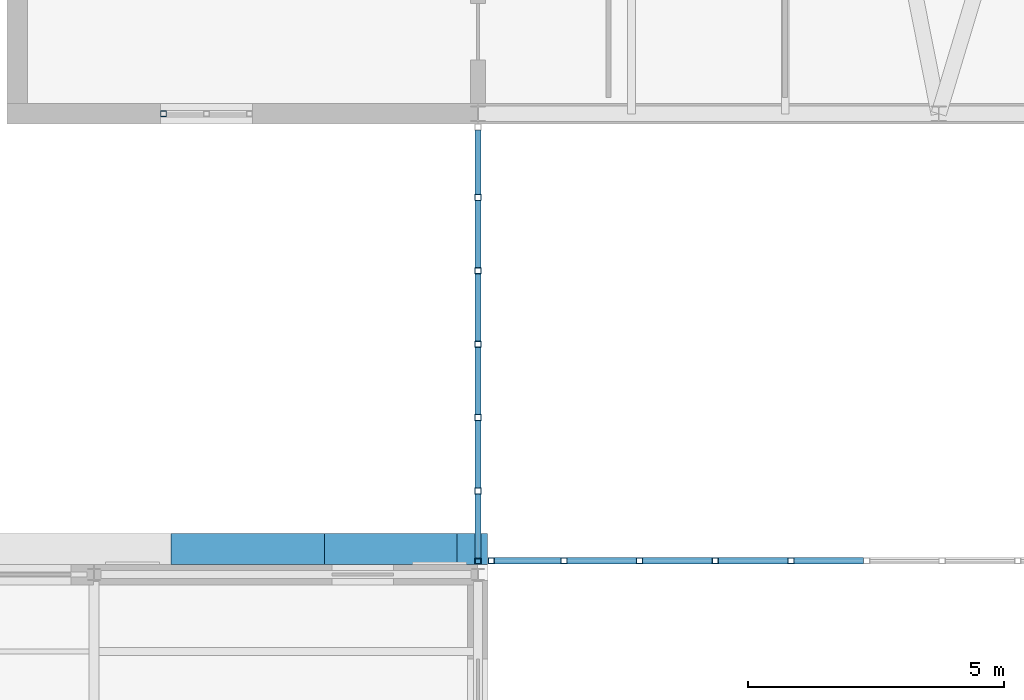
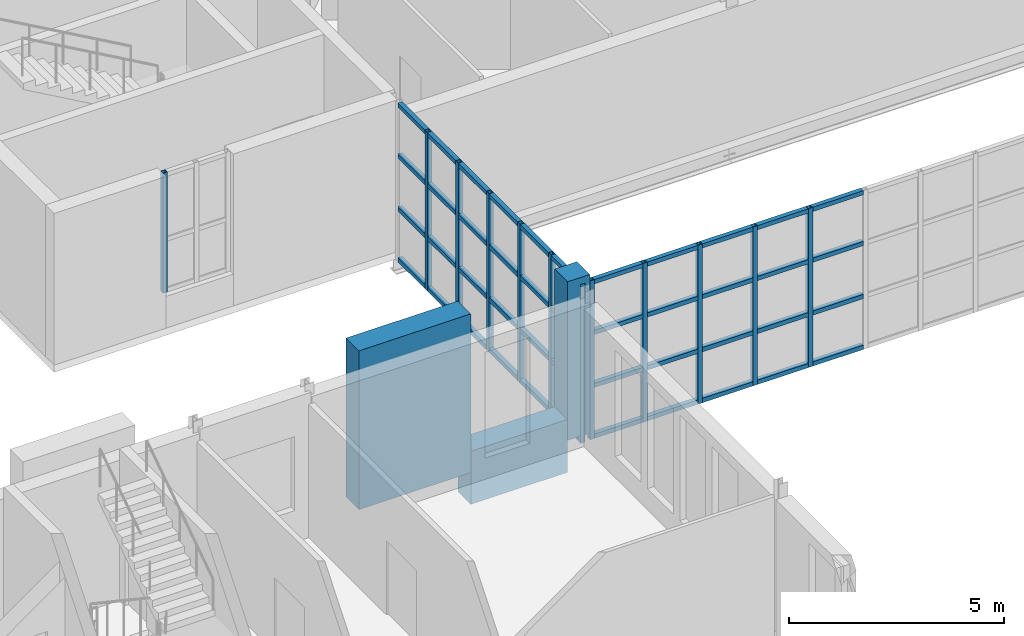
# One storey, part 46 of 131: 58 members, 1 beam, 3 elements without a shape of their own.
"""IFC4 building model written with IfcOpenShell, lengths in metres."""

from ifc_helpers import new_model, si_unit, direction, frame, origin, origin_2d, place, context, subcontext, project, spatial, rectangle, hollow_rectangle, extrude, material, material_profile, profile_set, type_object, element, aggregate, save


model = new_model("IFC4")

# Units and contexts
model_context = context("Model", 3, precision=1e-05, world=origin(), true_north=direction((0.0, 1.0)))
body_context = subcontext(model_context, "Body", "Model", "MODEL_VIEW")
ifc_project = project(units=[si_unit("LENGTHUNIT", "METRE"), si_unit("AREAUNIT", "SQUARE_METRE"), si_unit("VOLUMEUNIT", "CUBIC_METRE"), si_unit("PLANEANGLEUNIT", "RADIAN"), si_unit("MASSUNIT", "GRAM", prefix="KILO")], contexts=[model_context])

# Site, building, storey
site_placement = place(None, origin())
site = spatial("IfcSite", under=ifc_project, at=site_placement, CompositionType="ELEMENT")
building_placement = place(site_placement, origin())
building = spatial("IfcBuilding", under=site, at=building_placement, Name="Golden Quay Civic Hall", CompositionType="ELEMENT")
storey_placement = place(building_placement, frame((0.0, 0.0, 9.89990234375)))
storey = spatial("IfcBuildingStorey", under=building, at=storey_placement, Name="L02", CompositionType="ELEMENT", Elevation=9.89990234375)

# Curtain wall, members
ifc_material_1 = material(Name="Fire-resisting glass and steel", Category="steel")
curtain_wall_type_1 = type_object("IfcCurtainWallType", Name="Fire-resisting glazed curtain wall EI 120", PredefinedType="NOTDEFINED", material=ifc_material_1)
curtain_wall_1_placement = place(storey_placement, origin())
curtain_wall_1 = element("IfcCurtainWall", 1, at=curtain_wall_1_placement, inside=storey, type_object=curtain_wall_type_1, Name="CW3 curtain wall", PredefinedType="NOTDEFINED")
ifc_material_2 = material(Name="Steel S355", Category="steel")
ifc_material_profile_1 = material_profile(ifc_material_2, hollow_rectangle(XDim=0.1201171875, YDim=0.1201171875, WallThickness=0.008056640625, at=origin_2d()), Name="SHS 120x120x8")
ifc_profile_set_1 = profile_set([ifc_material_profile_1], Name="Steel S355")
member_type_1 = type_object("IfcMemberType", Name="Fire-resisting steel mullion SHS 120x120x8", PredefinedType="MULLION", material=ifc_profile_set_1)
member_1_placement = place(storey_placement, frame((72.260009765625, 54.27001953125, -0.199951171875), z_axis=(0.0, 0.0, 1.0), x_axis=(0.0, 1.0, 0.0)))
member_1 = element("IfcMember", 2, at=member_1_placement, type_object=member_type_1, Name="CW3 mullion 1", PredefinedType="MULLION", context=body_context, shape_type="SweptSolid", body=[
    extrude(hollow_rectangle(XDim=0.1201171875, YDim=0.1201171875, WallThickness=0.008056640625, at=origin_2d()), origin(), (0.0, 0.0, 1.0), 4.5),
])
member_2_placement = place(storey_placement, frame((73.677734375, 54.27001953125, -0.199951171875), z_axis=(0.0, 0.0, 1.0), x_axis=(0.0, 1.0, 0.0)))
member_2 = element("IfcMember", 3, at=member_2_placement, type_object=member_type_1, Name="CW3 mullion 2", PredefinedType="MULLION", context=body_context, shape_type="SweptSolid", body=[
    extrude(hollow_rectangle(XDim=0.1201171875, YDim=0.1201171875, WallThickness=0.008056640625, at=origin_2d()), origin(), (0.0, 0.0, 1.0), 4.5),
])
member_3_placement = place(storey_placement, frame((75.155517578125, 54.27001953125, -0.199951171875), z_axis=(0.0, 0.0, 1.0), x_axis=(0.0, 1.0, 0.0)))
member_3 = element("IfcMember", 4, at=member_3_placement, type_object=member_type_1, Name="CW3 mullion 3", PredefinedType="MULLION", context=body_context, shape_type="SweptSolid", body=[
    extrude(hollow_rectangle(XDim=0.1201171875, YDim=0.1201171875, WallThickness=0.008056640625, at=origin_2d()), origin(), (0.0, 0.0, 1.0), 4.5),
])
member_4_placement = place(storey_placement, frame((76.63330078125, 54.27001953125, -0.199951171875), z_axis=(0.0, 0.0, 1.0), x_axis=(0.0, 1.0, 0.0)))
member_4 = element("IfcMember", 5, at=member_4_placement, type_object=member_type_1, Name="CW3 mullion 4", PredefinedType="MULLION", context=body_context, shape_type="SweptSolid", body=[
    extrude(hollow_rectangle(XDim=0.1201171875, YDim=0.1201171875, WallThickness=0.008056640625, at=origin_2d()), origin(), (0.0, 0.0, 1.0), 4.5),
])
member_5_placement = place(storey_placement, frame((78.111083984375, 54.27001953125, -0.199951171875), z_axis=(0.0, 0.0, 1.0), x_axis=(0.0, 1.0, 0.0)))
member_5 = element("IfcMember", 6, at=member_5_placement, type_object=member_type_1, Name="CW3 mullion 5", PredefinedType="MULLION", context=body_context, shape_type="SweptSolid", body=[
    extrude(hollow_rectangle(XDim=0.1201171875, YDim=0.1201171875, WallThickness=0.008056640625, at=origin_2d()), origin(), (0.0, 0.0, 1.0), 4.5),
])

# Curtain wall, member
ifc_material_3 = material(Name="Fire-resisting glass and steel", Category="steel")
curtain_wall_type_2 = type_object("IfcCurtainWallType", Name="Fire-resisting glazed stair curtain wall EI 120", PredefinedType="NOTDEFINED", material=ifc_material_3)
curtain_wall_2_placement = place(storey_placement, origin())
curtain_wall_2 = element("IfcCurtainWall", 7, at=curtain_wall_2_placement, inside=storey, type_object=curtain_wall_type_2, Name="CW4 stair curtain wall", PredefinedType="NOTDEFINED")
ifc_material_4 = material(Name="Steel S355", Category="steel")
ifc_material_profile_2 = material_profile(ifc_material_4, hollow_rectangle(XDim=0.1201171875, YDim=0.1201171875, WallThickness=0.012451171875, at=origin_2d()), Name="SHS 120x120x12.5")
ifc_profile_set_2 = profile_set([ifc_material_profile_2], Name="Steel S355")
member_type_2 = type_object("IfcMemberType", Name="Fire-resisting steel stair mullion 120 x 120", PredefinedType="MULLION", material=ifc_profile_set_2)
member_6_placement = place(storey_placement, frame((65.860107421875, 63.0, 0.900146484375), z_axis=(0.0, 0.0, 1.0), x_axis=(0.0, 1.0, 0.0)))
member_6 = element("IfcMember", 8, at=member_6_placement, type_object=member_type_2, Name="CW4 mullion 1", PredefinedType="MULLION", context=body_context, shape_type="SweptSolid", body=[
    extrude(hollow_rectangle(XDim=0.1201171875, YDim=0.1201171875, WallThickness=0.012451171875, at=origin_2d()), origin(), (0.0, 0.0, 1.0), 3.39990234375),
])
aggregate(curtain_wall_2, [member_6])

# Member
ifc_material_5 = material(Name="Steel S355", Category="steel")
ifc_material_profile_3 = material_profile(ifc_material_5, hollow_rectangle(XDim=0.1201171875, YDim=0.1201171875, WallThickness=0.008056640625, at=origin_2d()), Name="SHS 120x120x8")
ifc_profile_set_3 = profile_set([ifc_material_profile_3], Name="Steel S355")
member_type_3 = type_object("IfcMemberType", Name="Fire-resisting steel transom SHS 120x120x8", PredefinedType="USERDEFINED", material=ifc_profile_set_3)
member_7_placement = place(storey_placement, frame((72.320068359375, 54.27001953125, -0.139892578125), z_axis=(1.0, 0.0, 0.0), x_axis=(0.0, 1.0, 0.0)))
member_7 = element("IfcMember", 9, at=member_7_placement, type_object=member_type_3, Name="CW3 transom 1.1", ObjectType="TRANSOM", PredefinedType="USERDEFINED", context=body_context, shape_type="SweptSolid", body=[
    extrude(hollow_rectangle(XDim=0.1201171875, YDim=0.1201171875, WallThickness=0.008056640625, at=origin_2d()), origin(), (0.0, 0.0, 1.0), 1.297607421875),
])

member_8_placement = place(storey_placement, frame((72.320068359375, 54.27001953125, 1.300048828125), z_axis=(1.0, 0.0, 0.0), x_axis=(0.0, 1.0, 0.0)))
member_8 = element("IfcMember", 10, at=member_8_placement, type_object=member_type_3, Name="CW3 transom 1.2", ObjectType="TRANSOM", PredefinedType="USERDEFINED", context=body_context, shape_type="SweptSolid", body=[
    extrude(hollow_rectangle(XDim=0.1201171875, YDim=0.1201171875, WallThickness=0.008056640625, at=origin_2d()), origin(), (0.0, 0.0, 1.0), 1.297607421875),
])

member_9_placement = place(storey_placement, frame((72.320068359375, 54.27001953125, 2.800048828125), z_axis=(1.0, 0.0, 0.0), x_axis=(0.0, 1.0, 0.0)))
member_9 = element("IfcMember", 11, at=member_9_placement, type_object=member_type_3, Name="CW3 transom 1.3", ObjectType="TRANSOM", PredefinedType="USERDEFINED", context=body_context, shape_type="SweptSolid", body=[
    extrude(hollow_rectangle(XDim=0.1201171875, YDim=0.1201171875, WallThickness=0.008056640625, at=origin_2d()), origin(), (0.0, 0.0, 1.0), 1.297607421875),
])

member_10_placement = place(storey_placement, frame((72.320068359375, 54.27001953125, 4.239990234375), z_axis=(1.0, 0.0, 0.0), x_axis=(0.0, 1.0, 0.0)))
member_10 = element("IfcMember", 12, at=member_10_placement, type_object=member_type_3, Name="CW3 transom 1.4", ObjectType="TRANSOM", PredefinedType="USERDEFINED", context=body_context, shape_type="SweptSolid", body=[
    extrude(hollow_rectangle(XDim=0.1201171875, YDim=0.1201171875, WallThickness=0.008056640625, at=origin_2d()), origin(), (0.0, 0.0, 1.0), 1.297607421875),
])

member_11_placement = place(storey_placement, frame((73.73779296875, 54.27001953125, -0.139892578125), z_axis=(1.0, 0.0, 0.0), x_axis=(0.0, 1.0, 0.0)))
member_11 = element("IfcMember", 13, at=member_11_placement, type_object=member_type_3, Name="CW3 transom 2.1", ObjectType="TRANSOM", PredefinedType="USERDEFINED", context=body_context, shape_type="SweptSolid", body=[
    extrude(hollow_rectangle(XDim=0.1201171875, YDim=0.1201171875, WallThickness=0.008056640625, at=origin_2d()), origin(), (0.0, 0.0, 1.0), 1.357666015625),
])

member_12_placement = place(storey_placement, frame((73.73779296875, 54.27001953125, 1.300048828125), z_axis=(1.0, 0.0, 0.0), x_axis=(0.0, 1.0, 0.0)))
member_12 = element("IfcMember", 14, at=member_12_placement, type_object=member_type_3, Name="CW3 transom 2.2", ObjectType="TRANSOM", PredefinedType="USERDEFINED", context=body_context, shape_type="SweptSolid", body=[
    extrude(hollow_rectangle(XDim=0.1201171875, YDim=0.1201171875, WallThickness=0.008056640625, at=origin_2d()), origin(), (0.0, 0.0, 1.0), 1.357666015625),
])

member_13_placement = place(storey_placement, frame((73.73779296875, 54.27001953125, 2.800048828125), z_axis=(1.0, 0.0, 0.0), x_axis=(0.0, 1.0, 0.0)))
member_13 = element("IfcMember", 15, at=member_13_placement, type_object=member_type_3, Name="CW3 transom 2.3", ObjectType="TRANSOM", PredefinedType="USERDEFINED", context=body_context, shape_type="SweptSolid", body=[
    extrude(hollow_rectangle(XDim=0.1201171875, YDim=0.1201171875, WallThickness=0.008056640625, at=origin_2d()), origin(), (0.0, 0.0, 1.0), 1.357666015625),
])

member_14_placement = place(storey_placement, frame((73.73779296875, 54.27001953125, 4.239990234375), z_axis=(1.0, 0.0, 0.0), x_axis=(0.0, 1.0, 0.0)))
member_14 = element("IfcMember", 16, at=member_14_placement, type_object=member_type_3, Name="CW3 transom 2.4", ObjectType="TRANSOM", PredefinedType="USERDEFINED", context=body_context, shape_type="SweptSolid", body=[
    extrude(hollow_rectangle(XDim=0.1201171875, YDim=0.1201171875, WallThickness=0.008056640625, at=origin_2d()), origin(), (0.0, 0.0, 1.0), 1.357666015625),
])

member_15_placement = place(storey_placement, frame((75.215576171875, 54.27001953125, -0.139892578125), z_axis=(1.0, 0.0, 0.0), x_axis=(0.0, 1.0, 0.0)))
member_15 = element("IfcMember", 17, at=member_15_placement, type_object=member_type_3, Name="CW3 transom 3.1", ObjectType="TRANSOM", PredefinedType="USERDEFINED", context=body_context, shape_type="SweptSolid", body=[
    extrude(hollow_rectangle(XDim=0.1201171875, YDim=0.1201171875, WallThickness=0.008056640625, at=origin_2d()), origin(), (0.0, 0.0, 1.0), 1.357666015625),
])

member_16_placement = place(storey_placement, frame((75.215576171875, 54.27001953125, 1.300048828125), z_axis=(1.0, 0.0, 0.0), x_axis=(0.0, 1.0, 0.0)))
member_16 = element("IfcMember", 18, at=member_16_placement, type_object=member_type_3, Name="CW3 transom 3.2", ObjectType="TRANSOM", PredefinedType="USERDEFINED", context=body_context, shape_type="SweptSolid", body=[
    extrude(hollow_rectangle(XDim=0.1201171875, YDim=0.1201171875, WallThickness=0.008056640625, at=origin_2d()), origin(), (0.0, 0.0, 1.0), 1.357666015625),
])

member_17_placement = place(storey_placement, frame((75.215576171875, 54.27001953125, 2.800048828125), z_axis=(1.0, 0.0, 0.0), x_axis=(0.0, 1.0, 0.0)))
member_17 = element("IfcMember", 19, at=member_17_placement, type_object=member_type_3, Name="CW3 transom 3.3", ObjectType="TRANSOM", PredefinedType="USERDEFINED", context=body_context, shape_type="SweptSolid", body=[
    extrude(hollow_rectangle(XDim=0.1201171875, YDim=0.1201171875, WallThickness=0.008056640625, at=origin_2d()), origin(), (0.0, 0.0, 1.0), 1.357666015625),
])

member_18_placement = place(storey_placement, frame((75.215576171875, 54.27001953125, 4.239990234375), z_axis=(1.0, 0.0, 0.0), x_axis=(0.0, 1.0, 0.0)))
member_18 = element("IfcMember", 20, at=member_18_placement, type_object=member_type_3, Name="CW3 transom 3.4", ObjectType="TRANSOM", PredefinedType="USERDEFINED", context=body_context, shape_type="SweptSolid", body=[
    extrude(hollow_rectangle(XDim=0.1201171875, YDim=0.1201171875, WallThickness=0.008056640625, at=origin_2d()), origin(), (0.0, 0.0, 1.0), 1.357666015625),
])

member_19_placement = place(storey_placement, frame((76.693359375, 54.27001953125, -0.139892578125), z_axis=(1.0, 0.0, 0.0), x_axis=(0.0, 1.0, 0.0)))
member_19 = element("IfcMember", 21, at=member_19_placement, type_object=member_type_3, Name="CW3 transom 4.1", ObjectType="TRANSOM", PredefinedType="USERDEFINED", context=body_context, shape_type="SweptSolid", body=[
    extrude(hollow_rectangle(XDim=0.1201171875, YDim=0.1201171875, WallThickness=0.008056640625, at=origin_2d()), origin(), (0.0, 0.0, 1.0), 1.357666015625),
])

member_20_placement = place(storey_placement, frame((76.693359375, 54.27001953125, 1.300048828125), z_axis=(1.0, 0.0, 0.0), x_axis=(0.0, 1.0, 0.0)))
member_20 = element("IfcMember", 22, at=member_20_placement, type_object=member_type_3, Name="CW3 transom 4.2", ObjectType="TRANSOM", PredefinedType="USERDEFINED", context=body_context, shape_type="SweptSolid", body=[
    extrude(hollow_rectangle(XDim=0.1201171875, YDim=0.1201171875, WallThickness=0.008056640625, at=origin_2d()), origin(), (0.0, 0.0, 1.0), 1.357666015625),
])

member_21_placement = place(storey_placement, frame((76.693359375, 54.27001953125, 2.800048828125), z_axis=(1.0, 0.0, 0.0), x_axis=(0.0, 1.0, 0.0)))
member_21 = element("IfcMember", 23, at=member_21_placement, type_object=member_type_3, Name="CW3 transom 4.3", ObjectType="TRANSOM", PredefinedType="USERDEFINED", context=body_context, shape_type="SweptSolid", body=[
    extrude(hollow_rectangle(XDim=0.1201171875, YDim=0.1201171875, WallThickness=0.008056640625, at=origin_2d()), origin(), (0.0, 0.0, 1.0), 1.357666015625),
])

member_22_placement = place(storey_placement, frame((76.693359375, 54.27001953125, 4.239990234375), z_axis=(1.0, 0.0, 0.0), x_axis=(0.0, 1.0, 0.0)))
member_22 = element("IfcMember", 24, at=member_22_placement, type_object=member_type_3, Name="CW3 transom 4.4", ObjectType="TRANSOM", PredefinedType="USERDEFINED", context=body_context, shape_type="SweptSolid", body=[
    extrude(hollow_rectangle(XDim=0.1201171875, YDim=0.1201171875, WallThickness=0.008056640625, at=origin_2d()), origin(), (0.0, 0.0, 1.0), 1.357666015625),
])

member_23_placement = place(storey_placement, frame((78.171142578125, 54.27001953125, -0.139892578125), z_axis=(1.0, 0.0, 0.0), x_axis=(0.0, 1.0, 0.0)))
member_23 = element("IfcMember", 25, at=member_23_placement, type_object=member_type_3, Name="CW3 transom 5.1", ObjectType="TRANSOM", PredefinedType="USERDEFINED", context=body_context, shape_type="SweptSolid", body=[
    extrude(hollow_rectangle(XDim=0.1201171875, YDim=0.1201171875, WallThickness=0.008056640625, at=origin_2d()), origin(), (0.0, 0.0, 1.0), 1.357666015625),
])

member_24_placement = place(storey_placement, frame((78.171142578125, 54.27001953125, 1.300048828125), z_axis=(1.0, 0.0, 0.0), x_axis=(0.0, 1.0, 0.0)))
member_24 = element("IfcMember", 26, at=member_24_placement, type_object=member_type_3, Name="CW3 transom 5.2", ObjectType="TRANSOM", PredefinedType="USERDEFINED", context=body_context, shape_type="SweptSolid", body=[
    extrude(hollow_rectangle(XDim=0.1201171875, YDim=0.1201171875, WallThickness=0.008056640625, at=origin_2d()), origin(), (0.0, 0.0, 1.0), 1.357666015625),
])

member_25_placement = place(storey_placement, frame((78.171142578125, 54.27001953125, 2.800048828125), z_axis=(1.0, 0.0, 0.0), x_axis=(0.0, 1.0, 0.0)))
member_25 = element("IfcMember", 27, at=member_25_placement, type_object=member_type_3, Name="CW3 transom 5.3", ObjectType="TRANSOM", PredefinedType="USERDEFINED", context=body_context, shape_type="SweptSolid", body=[
    extrude(hollow_rectangle(XDim=0.1201171875, YDim=0.1201171875, WallThickness=0.008056640625, at=origin_2d()), origin(), (0.0, 0.0, 1.0), 1.357666015625),
])

member_26_placement = place(storey_placement, frame((78.171142578125, 54.27001953125, 4.239990234375), z_axis=(1.0, 0.0, 0.0), x_axis=(0.0, 1.0, 0.0)))
member_26 = element("IfcMember", 28, at=member_26_placement, type_object=member_type_3, Name="CW3 transom 5.4", ObjectType="TRANSOM", PredefinedType="USERDEFINED", context=body_context, shape_type="SweptSolid", body=[
    extrude(hollow_rectangle(XDim=0.1201171875, YDim=0.1201171875, WallThickness=0.008056640625, at=origin_2d()), origin(), (0.0, 0.0, 1.0), 1.357666015625),
])

aggregate(curtain_wall_1, [member_1, member_2, member_3, member_4, member_5, member_7, member_8, member_9, member_10, member_11, member_12, member_13, member_14, member_15, member_16, member_17, member_18, member_19, member_20, member_21, member_22, member_23, member_24, member_25, member_26])

# Members
ifc_material_6 = material(Name="Concrete C40/50", Category="concrete")
ifc_material_profile_4 = material_profile(ifc_material_6, rectangle(XDim=3.0, YDim=0.60009765625, at=origin_2d()), Name="RC 3000x600")
ifc_profile_set_4 = profile_set([ifc_material_profile_4], Name="Concrete C40/50")
member_type_4 = type_object("IfcMemberType", Name="Precast concrete facade pier 3000 x 600", PredefinedType="POST", material=ifc_profile_set_4)
member_27_placement = place(storey_placement, frame((67.5, 54.5, 0.0), z_axis=(0.0, 0.0, 1.0), x_axis=(1.0, 0.0, 0.0)))
element("IfcMember", 29, at=member_27_placement, inside=storey, type_object=member_type_4, Name="Precast concrete facade pier 3000 x 600 L02 24", PredefinedType="POST", context=body_context, shape_type="SweptSolid", body=[
    extrude(rectangle(XDim=3.0, YDim=0.60009765625, at=origin_2d()), origin(), (0.0, 0.0, 1.0), 4.5),
])
ifc_material_7 = material(Name="Concrete C40/50", Category="concrete")
ifc_material_profile_5 = material_profile(ifc_material_7, rectangle(XDim=0.60009765625, YDim=0.60009765625, at=origin_2d()), Name="RC 600x600")
ifc_profile_set_5 = profile_set([ifc_material_profile_5], Name="Concrete C40/50")
member_type_5 = type_object("IfcMemberType", Name="Precast concrete facade post 600 x 600", PredefinedType="POST", material=ifc_profile_set_5)
member_28_placement = place(storey_placement, frame((71.889892578125, 54.5, 0.0), z_axis=(0.0, 0.0, 1.0), x_axis=(1.0, 0.0, 0.0)))
element("IfcMember", 30, at=member_28_placement, inside=storey, type_object=member_type_5, Name="Precast concrete facade post 600 x 600 L02 8", PredefinedType="POST", context=body_context, shape_type="SweptSolid", body=[
    extrude(rectangle(XDim=0.60009765625, YDim=0.60009765625, at=origin_2d()), origin(), (0.0, 0.0, 1.0), 4.5),
])

# Beam
ifc_material_8 = material(Name="Concrete C40/50", Category="concrete")
ifc_material_profile_6 = material_profile(ifc_material_8, rectangle(XDim=0.60009765625, YDim=1.5, at=origin_2d()), Name="RC 600x1500")
ifc_profile_set_6 = profile_set([ifc_material_profile_6], Name="Concrete C40/50")
beam_type = type_object("IfcBeamType", Name="Precast concrete spandrel beam 600 x 1500", PredefinedType="SPANDREL", material=ifc_profile_set_6)
beam_placement = place(storey_placement, frame((69.0, 54.5, -0.14990234375), z_axis=(1.0, 0.0, 0.0), x_axis=(0.0, 1.0, 0.0)))
element("IfcBeam", 31, at=beam_placement, inside=storey, type_object=beam_type, Name="Precast concrete spandrel beam 600 x 1500 L02 22", PredefinedType="SPANDREL", context=body_context, shape_type="SweptSolid", body=[
    extrude(rectangle(XDim=0.60009765625, YDim=1.5, at=origin_2d()), origin(), (0.0, 0.0, 1.0), 2.590087890625),
])

# Curtain wall, members
ifc_material_9 = material(Name="Glass and aluminium", Category="aluminium")
curtain_wall_type_3 = type_object("IfcCurtainWallType", Name="Glazed curtain wall 1500 module", PredefinedType="NOTDEFINED", material=ifc_material_9)
curtain_wall_3_placement = place(storey_placement, origin())
curtain_wall_3 = element("IfcCurtainWall", 32, at=curtain_wall_3_placement, inside=storey, type_object=curtain_wall_type_3, Name="CW1 curtain wall", PredefinedType="NOTDEFINED")
ifc_material_10 = material(Name="Steel S355", Category="steel")
ifc_material_profile_7 = material_profile(ifc_material_10, hollow_rectangle(XDim=0.1201171875, YDim=0.1201171875, WallThickness=0.008056640625, at=origin_2d()), Name="SHS 120x120x8")
ifc_profile_set_7 = profile_set([ifc_material_profile_7], Name="Steel S355")
member_type_6 = type_object("IfcMemberType", Name="Steel mullion SHS 120x120x8", PredefinedType="MULLION", material=ifc_profile_set_7)
member_29_placement = place(storey_placement, frame((72.0, 54.260009765625, -0.199951171875), z_axis=(0.0, 0.0, 1.0), x_axis=(-1.0, 0.0, 0.0)))
member_29 = element("IfcMember", 33, at=member_29_placement, type_object=member_type_6, Name="CW1 mullion 1", PredefinedType="MULLION", context=body_context, shape_type="SweptSolid", body=[
    extrude(hollow_rectangle(XDim=0.1201171875, YDim=0.1201171875, WallThickness=0.008056640625, at=origin_2d()), origin(), (0.0, 0.0, 1.0), 4.5),
])
member_30_placement = place(storey_placement, frame((72.0, 55.63330078125, -0.199951171875), z_axis=(0.0, 0.0, 1.0), x_axis=(-1.0, 0.0, 0.0)))
member_30 = element("IfcMember", 34, at=member_30_placement, type_object=member_type_6, Name="CW1 mullion 2", PredefinedType="MULLION", context=body_context, shape_type="SweptSolid", body=[
    extrude(hollow_rectangle(XDim=0.1201171875, YDim=0.1201171875, WallThickness=0.008056640625, at=origin_2d()), origin(), (0.0, 0.0, 1.0), 4.5),
])
member_31_placement = place(storey_placement, frame((72.0, 57.066650390625, -0.199951171875), z_axis=(0.0, 0.0, 1.0), x_axis=(-1.0, 0.0, 0.0)))
member_31 = element("IfcMember", 35, at=member_31_placement, type_object=member_type_6, Name="CW1 mullion 3", PredefinedType="MULLION", context=body_context, shape_type="SweptSolid", body=[
    extrude(hollow_rectangle(XDim=0.1201171875, YDim=0.1201171875, WallThickness=0.008056640625, at=origin_2d()), origin(), (0.0, 0.0, 1.0), 4.5),
])
member_32_placement = place(storey_placement, frame((72.0, 58.5, -0.199951171875), z_axis=(0.0, 0.0, 1.0), x_axis=(-1.0, 0.0, 0.0)))
member_32 = element("IfcMember", 36, at=member_32_placement, type_object=member_type_6, Name="CW1 mullion 4", PredefinedType="MULLION", context=body_context, shape_type="SweptSolid", body=[
    extrude(hollow_rectangle(XDim=0.1201171875, YDim=0.1201171875, WallThickness=0.008056640625, at=origin_2d()), origin(), (0.0, 0.0, 1.0), 4.5),
])
member_33_placement = place(storey_placement, frame((72.0, 59.933349609375, -0.199951171875), z_axis=(0.0, 0.0, 1.0), x_axis=(-1.0, 0.0, 0.0)))
member_33 = element("IfcMember", 37, at=member_33_placement, type_object=member_type_6, Name="CW1 mullion 5", PredefinedType="MULLION", context=body_context, shape_type="SweptSolid", body=[
    extrude(hollow_rectangle(XDim=0.1201171875, YDim=0.1201171875, WallThickness=0.008056640625, at=origin_2d()), origin(), (0.0, 0.0, 1.0), 4.5),
])
member_34_placement = place(storey_placement, frame((72.0, 61.36669921875, -0.199951171875), z_axis=(0.0, 0.0, 1.0), x_axis=(-1.0, 0.0, 0.0)))
member_34 = element("IfcMember", 38, at=member_34_placement, type_object=member_type_6, Name="CW1 mullion 6", PredefinedType="MULLION", context=body_context, shape_type="SweptSolid", body=[
    extrude(hollow_rectangle(XDim=0.1201171875, YDim=0.1201171875, WallThickness=0.008056640625, at=origin_2d()), origin(), (0.0, 0.0, 1.0), 4.5),
])
ifc_material_11 = material(Name="Steel S355", Category="steel")
ifc_material_profile_8 = material_profile(ifc_material_11, hollow_rectangle(XDim=0.1201171875, YDim=0.1201171875, WallThickness=0.008056640625, at=origin_2d()), Name="SHS 120x120x8")
ifc_profile_set_8 = profile_set([ifc_material_profile_8], Name="Steel S355")
member_type_7 = type_object("IfcMemberType", Name="Steel transom SHS 120x120x8", PredefinedType="USERDEFINED", material=ifc_profile_set_8)
member_35_placement = place(storey_placement, frame((72.0, 54.320068359375, -0.139892578125), z_axis=(0.0, 1.0, 0.0), x_axis=(-1.0, 0.0, 0.0)))
member_35 = element("IfcMember", 39, at=member_35_placement, type_object=member_type_7, Name="CW1 transom 1.1", ObjectType="TRANSOM", PredefinedType="USERDEFINED", context=body_context, shape_type="SweptSolid", body=[
    extrude(hollow_rectangle(XDim=0.1201171875, YDim=0.1201171875, WallThickness=0.008056640625, at=origin_2d()), origin(), (0.0, 0.0, 1.0), 1.253173828125),
])
member_36_placement = place(storey_placement, frame((72.0, 54.320068359375, 1.300048828125), z_axis=(0.0, 1.0, 0.0), x_axis=(-1.0, 0.0, 0.0)))
member_36 = element("IfcMember", 40, at=member_36_placement, type_object=member_type_7, Name="CW1 transom 1.2", ObjectType="TRANSOM", PredefinedType="USERDEFINED", context=body_context, shape_type="SweptSolid", body=[
    extrude(hollow_rectangle(XDim=0.1201171875, YDim=0.1201171875, WallThickness=0.008056640625, at=origin_2d()), origin(), (0.0, 0.0, 1.0), 1.253173828125),
])
member_37_placement = place(storey_placement, frame((72.0, 54.320068359375, 2.800048828125), z_axis=(0.0, 1.0, 0.0), x_axis=(-1.0, 0.0, 0.0)))
member_37 = element("IfcMember", 41, at=member_37_placement, type_object=member_type_7, Name="CW1 transom 1.3", ObjectType="TRANSOM", PredefinedType="USERDEFINED", context=body_context, shape_type="SweptSolid", body=[
    extrude(hollow_rectangle(XDim=0.1201171875, YDim=0.1201171875, WallThickness=0.008056640625, at=origin_2d()), origin(), (0.0, 0.0, 1.0), 1.253173828125),
])
member_38_placement = place(storey_placement, frame((72.0, 54.320068359375, 4.239990234375), z_axis=(0.0, 1.0, 0.0), x_axis=(-1.0, 0.0, 0.0)))
member_38 = element("IfcMember", 42, at=member_38_placement, type_object=member_type_7, Name="CW1 transom 1.4", ObjectType="TRANSOM", PredefinedType="USERDEFINED", context=body_context, shape_type="SweptSolid", body=[
    extrude(hollow_rectangle(XDim=0.1201171875, YDim=0.1201171875, WallThickness=0.008056640625, at=origin_2d()), origin(), (0.0, 0.0, 1.0), 1.253173828125),
])
member_39_placement = place(storey_placement, frame((72.0, 55.693359375, -0.139892578125), z_axis=(0.0, 1.0, 0.0), x_axis=(-1.0, 0.0, 0.0)))
member_39 = element("IfcMember", 43, at=member_39_placement, type_object=member_type_7, Name="CW1 transom 2.1", ObjectType="TRANSOM", PredefinedType="USERDEFINED", context=body_context, shape_type="SweptSolid", body=[
    extrude(hollow_rectangle(XDim=0.1201171875, YDim=0.1201171875, WallThickness=0.008056640625, at=origin_2d()), origin(), (0.0, 0.0, 1.0), 1.313232421875),
])
member_40_placement = place(storey_placement, frame((72.0, 55.693359375, 1.300048828125), z_axis=(0.0, 1.0, 0.0), x_axis=(-1.0, 0.0, 0.0)))
member_40 = element("IfcMember", 44, at=member_40_placement, type_object=member_type_7, Name="CW1 transom 2.2", ObjectType="TRANSOM", PredefinedType="USERDEFINED", context=body_context, shape_type="SweptSolid", body=[
    extrude(hollow_rectangle(XDim=0.1201171875, YDim=0.1201171875, WallThickness=0.008056640625, at=origin_2d()), origin(), (0.0, 0.0, 1.0), 1.313232421875),
])
member_41_placement = place(storey_placement, frame((72.0, 55.693359375, 2.800048828125), z_axis=(0.0, 1.0, 0.0), x_axis=(-1.0, 0.0, 0.0)))
member_41 = element("IfcMember", 45, at=member_41_placement, type_object=member_type_7, Name="CW1 transom 2.3", ObjectType="TRANSOM", PredefinedType="USERDEFINED", context=body_context, shape_type="SweptSolid", body=[
    extrude(hollow_rectangle(XDim=0.1201171875, YDim=0.1201171875, WallThickness=0.008056640625, at=origin_2d()), origin(), (0.0, 0.0, 1.0), 1.313232421875),
])
member_42_placement = place(storey_placement, frame((72.0, 55.693359375, 4.239990234375), z_axis=(0.0, 1.0, 0.0), x_axis=(-1.0, 0.0, 0.0)))
member_42 = element("IfcMember", 46, at=member_42_placement, type_object=member_type_7, Name="CW1 transom 2.4", ObjectType="TRANSOM", PredefinedType="USERDEFINED", context=body_context, shape_type="SweptSolid", body=[
    extrude(hollow_rectangle(XDim=0.1201171875, YDim=0.1201171875, WallThickness=0.008056640625, at=origin_2d()), origin(), (0.0, 0.0, 1.0), 1.313232421875),
])
member_43_placement = place(storey_placement, frame((72.0, 57.126708984375, -0.139892578125), z_axis=(0.0, 1.0, 0.0), x_axis=(-1.0, 0.0, 0.0)))
member_43 = element("IfcMember", 47, at=member_43_placement, type_object=member_type_7, Name="CW1 transom 3.1", ObjectType="TRANSOM", PredefinedType="USERDEFINED", context=body_context, shape_type="SweptSolid", body=[
    extrude(hollow_rectangle(XDim=0.1201171875, YDim=0.1201171875, WallThickness=0.008056640625, at=origin_2d()), origin(), (0.0, 0.0, 1.0), 1.313232421875),
])
member_44_placement = place(storey_placement, frame((72.0, 57.126708984375, 1.300048828125), z_axis=(0.0, 1.0, 0.0), x_axis=(-1.0, 0.0, 0.0)))
member_44 = element("IfcMember", 48, at=member_44_placement, type_object=member_type_7, Name="CW1 transom 3.2", ObjectType="TRANSOM", PredefinedType="USERDEFINED", context=body_context, shape_type="SweptSolid", body=[
    extrude(hollow_rectangle(XDim=0.1201171875, YDim=0.1201171875, WallThickness=0.008056640625, at=origin_2d()), origin(), (0.0, 0.0, 1.0), 1.313232421875),
])
member_45_placement = place(storey_placement, frame((72.0, 57.126708984375, 2.800048828125), z_axis=(0.0, 1.0, 0.0), x_axis=(-1.0, 0.0, 0.0)))
member_45 = element("IfcMember", 49, at=member_45_placement, type_object=member_type_7, Name="CW1 transom 3.3", ObjectType="TRANSOM", PredefinedType="USERDEFINED", context=body_context, shape_type="SweptSolid", body=[
    extrude(hollow_rectangle(XDim=0.1201171875, YDim=0.1201171875, WallThickness=0.008056640625, at=origin_2d()), origin(), (0.0, 0.0, 1.0), 1.313232421875),
])
member_46_placement = place(storey_placement, frame((72.0, 57.126708984375, 4.239990234375), z_axis=(0.0, 1.0, 0.0), x_axis=(-1.0, 0.0, 0.0)))
member_46 = element("IfcMember", 50, at=member_46_placement, type_object=member_type_7, Name="CW1 transom 3.4", ObjectType="TRANSOM", PredefinedType="USERDEFINED", context=body_context, shape_type="SweptSolid", body=[
    extrude(hollow_rectangle(XDim=0.1201171875, YDim=0.1201171875, WallThickness=0.008056640625, at=origin_2d()), origin(), (0.0, 0.0, 1.0), 1.313232421875),
])
member_47_placement = place(storey_placement, frame((72.0, 58.56005859375, -0.139892578125), z_axis=(0.0, 1.0, 0.0), x_axis=(-1.0, 0.0, 0.0)))
member_47 = element("IfcMember", 51, at=member_47_placement, type_object=member_type_7, Name="CW1 transom 4.1", ObjectType="TRANSOM", PredefinedType="USERDEFINED", context=body_context, shape_type="SweptSolid", body=[
    extrude(hollow_rectangle(XDim=0.1201171875, YDim=0.1201171875, WallThickness=0.008056640625, at=origin_2d()), origin(), (0.0, 0.0, 1.0), 1.313232421875),
])
member_48_placement = place(storey_placement, frame((72.0, 58.56005859375, 1.300048828125), z_axis=(0.0, 1.0, 0.0), x_axis=(-1.0, 0.0, 0.0)))
member_48 = element("IfcMember", 52, at=member_48_placement, type_object=member_type_7, Name="CW1 transom 4.2", ObjectType="TRANSOM", PredefinedType="USERDEFINED", context=body_context, shape_type="SweptSolid", body=[
    extrude(hollow_rectangle(XDim=0.1201171875, YDim=0.1201171875, WallThickness=0.008056640625, at=origin_2d()), origin(), (0.0, 0.0, 1.0), 1.313232421875),
])
member_49_placement = place(storey_placement, frame((72.0, 58.56005859375, 2.800048828125), z_axis=(0.0, 1.0, 0.0), x_axis=(-1.0, 0.0, 0.0)))
member_49 = element("IfcMember", 53, at=member_49_placement, type_object=member_type_7, Name="CW1 transom 4.3", ObjectType="TRANSOM", PredefinedType="USERDEFINED", context=body_context, shape_type="SweptSolid", body=[
    extrude(hollow_rectangle(XDim=0.1201171875, YDim=0.1201171875, WallThickness=0.008056640625, at=origin_2d()), origin(), (0.0, 0.0, 1.0), 1.313232421875),
])
member_50_placement = place(storey_placement, frame((72.0, 58.56005859375, 4.239990234375), z_axis=(0.0, 1.0, 0.0), x_axis=(-1.0, 0.0, 0.0)))
member_50 = element("IfcMember", 54, at=member_50_placement, type_object=member_type_7, Name="CW1 transom 4.4", ObjectType="TRANSOM", PredefinedType="USERDEFINED", context=body_context, shape_type="SweptSolid", body=[
    extrude(hollow_rectangle(XDim=0.1201171875, YDim=0.1201171875, WallThickness=0.008056640625, at=origin_2d()), origin(), (0.0, 0.0, 1.0), 1.313232421875),
])
member_51_placement = place(storey_placement, frame((72.0, 59.993408203125, -0.139892578125), z_axis=(0.0, 1.0, 0.0), x_axis=(-1.0, 0.0, 0.0)))
member_51 = element("IfcMember", 55, at=member_51_placement, type_object=member_type_7, Name="CW1 transom 5.1", ObjectType="TRANSOM", PredefinedType="USERDEFINED", context=body_context, shape_type="SweptSolid", body=[
    extrude(hollow_rectangle(XDim=0.1201171875, YDim=0.1201171875, WallThickness=0.008056640625, at=origin_2d()), origin(), (0.0, 0.0, 1.0), 1.313232421875),
])
member_52_placement = place(storey_placement, frame((72.0, 59.993408203125, 1.300048828125), z_axis=(0.0, 1.0, 0.0), x_axis=(-1.0, 0.0, 0.0)))
member_52 = element("IfcMember", 56, at=member_52_placement, type_object=member_type_7, Name="CW1 transom 5.2", ObjectType="TRANSOM", PredefinedType="USERDEFINED", context=body_context, shape_type="SweptSolid", body=[
    extrude(hollow_rectangle(XDim=0.1201171875, YDim=0.1201171875, WallThickness=0.008056640625, at=origin_2d()), origin(), (0.0, 0.0, 1.0), 1.313232421875),
])
member_53_placement = place(storey_placement, frame((72.0, 59.993408203125, 2.800048828125), z_axis=(0.0, 1.0, 0.0), x_axis=(-1.0, 0.0, 0.0)))
member_53 = element("IfcMember", 57, at=member_53_placement, type_object=member_type_7, Name="CW1 transom 5.3", ObjectType="TRANSOM", PredefinedType="USERDEFINED", context=body_context, shape_type="SweptSolid", body=[
    extrude(hollow_rectangle(XDim=0.1201171875, YDim=0.1201171875, WallThickness=0.008056640625, at=origin_2d()), origin(), (0.0, 0.0, 1.0), 1.313232421875),
])
member_54_placement = place(storey_placement, frame((72.0, 59.993408203125, 4.239990234375), z_axis=(0.0, 1.0, 0.0), x_axis=(-1.0, 0.0, 0.0)))
member_54 = element("IfcMember", 58, at=member_54_placement, type_object=member_type_7, Name="CW1 transom 5.4", ObjectType="TRANSOM", PredefinedType="USERDEFINED", context=body_context, shape_type="SweptSolid", body=[
    extrude(hollow_rectangle(XDim=0.1201171875, YDim=0.1201171875, WallThickness=0.008056640625, at=origin_2d()), origin(), (0.0, 0.0, 1.0), 1.313232421875),
])
member_55_placement = place(storey_placement, frame((72.0, 61.4267578125, -0.139892578125), z_axis=(0.0, 1.0, 0.0), x_axis=(-1.0, 0.0, 0.0)))
member_55 = element("IfcMember", 59, at=member_55_placement, type_object=member_type_7, Name="CW1 transom 6.1", ObjectType="TRANSOM", PredefinedType="USERDEFINED", context=body_context, shape_type="SweptSolid", body=[
    extrude(hollow_rectangle(XDim=0.1201171875, YDim=0.1201171875, WallThickness=0.008056640625, at=origin_2d()), origin(), (0.0, 0.0, 1.0), 1.253173828125),
])
member_56_placement = place(storey_placement, frame((72.0, 61.4267578125, 1.300048828125), z_axis=(0.0, 1.0, 0.0), x_axis=(-1.0, 0.0, 0.0)))
member_56 = element("IfcMember", 60, at=member_56_placement, type_object=member_type_7, Name="CW1 transom 6.2", ObjectType="TRANSOM", PredefinedType="USERDEFINED", context=body_context, shape_type="SweptSolid", body=[
    extrude(hollow_rectangle(XDim=0.1201171875, YDim=0.1201171875, WallThickness=0.008056640625, at=origin_2d()), origin(), (0.0, 0.0, 1.0), 1.253173828125),
])
member_57_placement = place(storey_placement, frame((72.0, 61.4267578125, 2.800048828125), z_axis=(0.0, 1.0, 0.0), x_axis=(-1.0, 0.0, 0.0)))
member_57 = element("IfcMember", 61, at=member_57_placement, type_object=member_type_7, Name="CW1 transom 6.3", ObjectType="TRANSOM", PredefinedType="USERDEFINED", context=body_context, shape_type="SweptSolid", body=[
    extrude(hollow_rectangle(XDim=0.1201171875, YDim=0.1201171875, WallThickness=0.008056640625, at=origin_2d()), origin(), (0.0, 0.0, 1.0), 1.253173828125),
])
member_58_placement = place(storey_placement, frame((72.0, 61.4267578125, 4.239990234375), z_axis=(0.0, 1.0, 0.0), x_axis=(-1.0, 0.0, 0.0)))
member_58 = element("IfcMember", 62, at=member_58_placement, type_object=member_type_7, Name="CW1 transom 6.4", ObjectType="TRANSOM", PredefinedType="USERDEFINED", context=body_context, shape_type="SweptSolid", body=[
    extrude(hollow_rectangle(XDim=0.1201171875, YDim=0.1201171875, WallThickness=0.008056640625, at=origin_2d()), origin(), (0.0, 0.0, 1.0), 1.253173828125),
])
aggregate(curtain_wall_3, [member_29, member_30, member_31, member_32, member_33, member_34, member_35, member_36, member_37, member_38, member_39, member_40, member_41, member_42, member_43, member_44, member_45, member_46, member_47, member_48, member_49, member_50, member_51, member_52, member_53, member_54, member_55, member_56, member_57, member_58])

save(model, "model.ifc")
